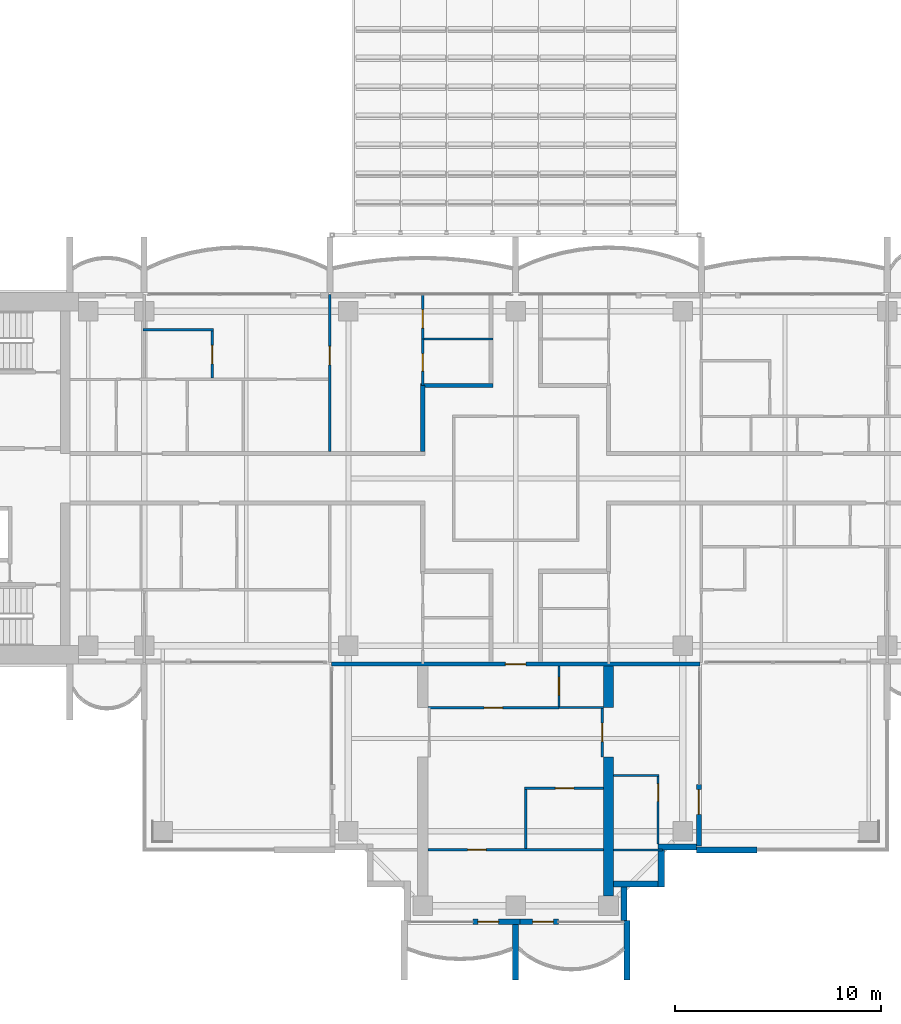
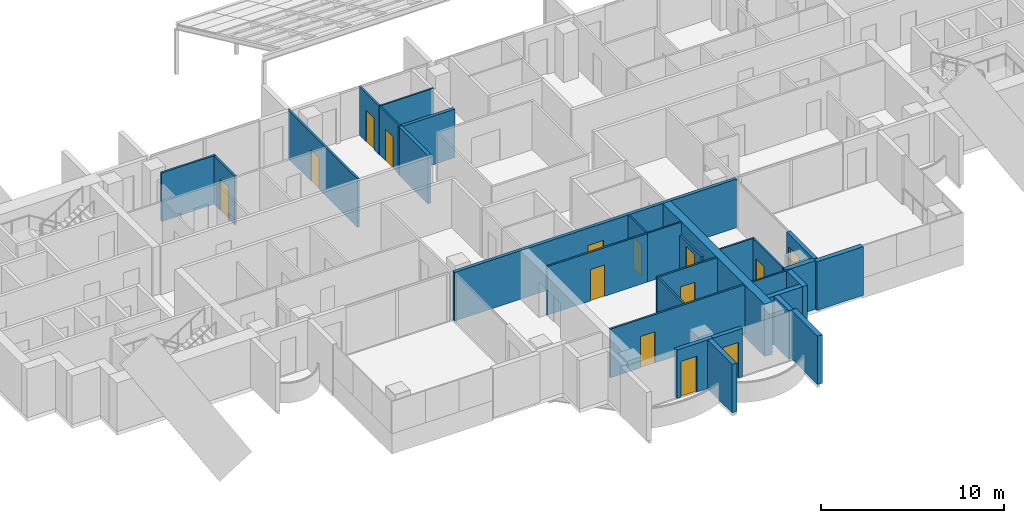
# One storey, part 12 of 20: 30 walls, 14 doors, 14 openings.
"""IFC4 building model written with IfcOpenShell, lengths in metres."""

from ifc_helpers import new_model, si_unit, direction, frame, frame_2d, origin, place, context, subcontext, project, spatial, polyline, rectangle, outline, extrude, material, layer, layer_set, material_profile, profile_set, type_object, element, fill, save


model = new_model("IFC4")

# Units and contexts
model_context = context("Model", 3, precision=1e-05, world=origin(), true_north=direction((0.0, 1.0)))
body_context = subcontext(model_context, "Body", "Model", "MODEL_VIEW")
ifc_project = project(units=[si_unit("LENGTHUNIT", "METRE"), si_unit("AREAUNIT", "SQUARE_METRE"), si_unit("VOLUMEUNIT", "CUBIC_METRE"), si_unit("PLANEANGLEUNIT", "RADIAN"), si_unit("MASSUNIT", "GRAM", prefix="KILO")], contexts=[model_context])

# Site, building, storey
site_placement = place(None, origin())
site = spatial("IfcSite", under=ifc_project, at=site_placement, CompositionType="ELEMENT")
building_placement = place(site_placement, origin())
building = spatial("IfcBuilding", under=site, at=building_placement, Name="Perihelion Cross Residences", CompositionType="ELEMENT")
storey_placement = place(building_placement, frame((0.0, 0.0, 170.10009765625)))
storey = spatial("IfcBuildingStorey", under=building, at=storey_placement, Name="L41", CompositionType="ELEMENT", Elevation=170.10009765625)

# Walls
ifc_material_1 = material(Name="Plasterboard partition")
ifc_layer_1 = layer(ifc_material_1, 0.199951171875)
ifc_layer_set_1 = layer_set([ifc_layer_1], Name="Apartment separation wall 200")
wall_type_1 = type_object("IfcWallType", Name="Apartment separation wall 200", PredefinedType="PARTITIONING", material=ifc_layer_set_1)
wall_1_placement = place(storey_placement, frame((-4.5, 1.300048828125, 0.0), z_axis=(0.0, 0.0, 1.0), x_axis=(0.0, 1.0, 0.0)))
element("IfcWall", 1, at=wall_1_placement, inside=storey, type_object=wall_type_1, Name="Partition L41 W014", PredefinedType="PARTITIONING", context=body_context, shape_type="SweptSolid", body=[
    extrude(rectangle(XDim=3.199951171875, YDim=0.199951171875, at=frame_2d((1.60009765625, 0.0))), origin(), (0.0, 0.0, 1.0), 3.25),
])
wall_2_placement = place(storey_placement, frame((-4.60009765625, 4.5, 0.0), z_axis=(0.0, 0.0, 1.0), x_axis=(1.0, 0.0, 0.0)))
element("IfcWall", 2, at=wall_2_placement, inside=storey, type_object=wall_type_1, Name="Partition L41 W015", PredefinedType="PARTITIONING", context=body_context, shape_type="SweptSolid", body=[
    extrude(rectangle(XDim=3.5, YDim=0.199951171875, at=frame_2d((1.75, 0.0))), origin(), (0.0, 0.0, 1.0), 3.25),
])

# Wall, opening, door
wall_3_placement = place(storey_placement, frame((8.919921875, -9.0, 0.0), z_axis=(0.0, 0.0, 1.0), x_axis=(-1.0, 0.0, 0.0)))
wall_3 = element("IfcWall", 3, at=wall_3_placement, inside=storey, type_object=wall_type_1, Name="Partition L41 W021", PredefinedType="PARTITIONING", context=body_context, shape_type="SweptSolid", body=[
    extrude(rectangle(XDim=17.83984375, YDim=0.199951171875, at=frame_2d((8.919921875, 0.0))), origin(), (0.0, 0.0, 1.0), 3.25),
])
opening_1_placement = place(wall_3_placement, frame((8.419921875, 0.0, 0.0)))
opening_1 = element("IfcOpeningElement", 4, at=opening_1_placement, cuts=wall_3, Name="Opening L41.A39", PredefinedType="OPENING", context=body_context, shape_type="SweptSolid", body=[
    extrude(rectangle(XDim=1.0, YDim=2.10009765625, at=frame_2d((0.5, 1.050048828125))), frame((0.0, 0.10986328125, 0.0), z_axis=(0.0, -1.0, 0.0), x_axis=(1.0, 0.0, 0.0)), (0.0, 0.0, 1.0), 0.219970703125),
])
ifc_material_2 = material(Name="Timber door leaf", Category="wood")
door_type_1 = type_object("IfcDoorType", Name="Flat entrance door 1000 x 2100", OperationType="SINGLE_SWING_LEFT", PredefinedType="DOOR", material=ifc_material_2)
door_1_placement = place(opening_1_placement, origin())
door_1 = element("IfcDoor", 5, at=door_1_placement, inside=storey, type_object=door_type_1, Name="Door L41.A39", OperationType="SINGLE_SWING_LEFT", OverallHeight=2.10009765625, OverallWidth=1.0, PredefinedType="DOOR", context=body_context, shape_type="SweptSolid", body=[
    extrude(rectangle(XDim=1.0, YDim=2.10009765625, at=frame_2d((0.5, 1.050048828125))), frame((0.0, 0.02490234375, 0.0), z_axis=(0.0, -1.0, 0.0), x_axis=(1.0, 0.0, 0.0)), (0.0, 0.0, 1.0), 0.050048828125),
])
fill(opening_1, door_1)

ifc_material_3 = material(Name="Concrete C30/37, bronze-clad", Category="concrete")
ifc_layer_2 = layer(ifc_material_3, 0.25)
ifc_layer_set_2 = layer_set([ifc_layer_2], Name="Bronze-clad pier wall 250")
wall_type_2 = type_object("IfcWallType", Name="Bronze-clad pier wall 250", PredefinedType="SOLIDWALL", material=ifc_layer_set_2)
wall_4_placement = place(storey_placement, frame((-2.074951171875, -21.47509765625, 0.0), z_axis=(0.0, 0.0, 1.0), x_axis=(1.0, 0.0, 0.0)))
wall_4 = element("IfcWall", 6, at=wall_4_placement, inside=storey, type_object=wall_type_2, Name="Wall FW1 L41 south tip south bay 1 pier", PredefinedType="SOLIDWALL", context=body_context, shape_type="SweptSolid", body=[
    extrude(rectangle(XDim=2.27490234375, YDim=0.25, at=frame_2d((1.137451171875, 0.0))), origin(), (0.0, 0.0, 1.0), 3.25),
])
opening_2_placement = place(wall_4_placement, frame((0.25, 0.0, 0.0)))
opening_2 = element("IfcOpeningElement", 7, at=opening_2_placement, cuts=wall_4, Name="Opening L41.E10", PredefinedType="OPENING", context=body_context, shape_type="SweptSolid", body=[
    extrude(rectangle(XDim=1.0, YDim=2.39990234375, at=frame_2d((0.5, 1.199951171875))), frame((0.0, 0.135009765625, 0.0), z_axis=(0.0, -1.0, 0.0), x_axis=(1.0, 0.0, 0.0)), (0.0, 0.0, 1.0), 0.27001953125),
])
ifc_material_4 = material(Name="Bronze anodised aluminium, glazed", Category="aluminium")
door_type_2 = type_object("IfcDoorType", Name="Balcony door 1000 x 2400", OperationType="NOTDEFINED", PredefinedType="DOOR", material=ifc_material_4)
door_2_placement = place(opening_2_placement, origin())
door_2 = element("IfcDoor", 8, at=door_2_placement, inside=storey, type_object=door_type_2, Name="Door L41.E10 south tip south bay 1", OperationType="SINGLE_SWING_RIGHT", OverallHeight=2.39990234375, OverallWidth=1.0, PredefinedType="DOOR", context=body_context, shape_type="SweptSolid", body=[
    extrude(rectangle(XDim=1.0, YDim=2.39990234375, at=frame_2d((0.5, 1.199951171875))), frame((0.0, 0.02490234375, 0.0), z_axis=(0.0, -1.0, 0.0), x_axis=(1.0, 0.0, 0.0)), (0.0, 0.0, 1.0), 0.050048828125),
])
fill(opening_2, door_2)

wall_5_placement = place(storey_placement, frame((0.199951171875, -21.47509765625, 0.0), z_axis=(0.0, 0.0, 1.0), x_axis=(1.0, 0.0, 0.0)))
wall_5 = element("IfcWall", 9, at=wall_5_placement, inside=storey, type_object=wall_type_2, Name="Wall FW1 L41 south tip south bay 2 pier", PredefinedType="SOLIDWALL", context=body_context, shape_type="SweptSolid", body=[
    extrude(rectangle(XDim=1.875, YDim=0.25, at=frame_2d((0.9375, 0.0))), origin(), (0.0, 0.0, 1.0), 3.25),
])
opening_3_placement = place(wall_5_placement, frame((0.625, 0.0, 0.0)))
opening_3 = element("IfcOpeningElement", 10, at=opening_3_placement, cuts=wall_5, Name="Opening L41.E11", PredefinedType="OPENING", context=body_context, shape_type="SweptSolid", body=[
    extrude(rectangle(XDim=1.0, YDim=2.39990234375, at=frame_2d((0.5, 1.199951171875))), frame((0.0, 0.135009765625, 0.0), z_axis=(0.0, -1.0, 0.0), x_axis=(1.0, 0.0, 0.0)), (0.0, 0.0, 1.0), 0.27001953125),
])
door_3_placement = place(opening_3_placement, origin())
door_3 = element("IfcDoor", 11, at=door_3_placement, inside=storey, type_object=door_type_2, Name="Door L41.E11 south tip south bay 2", OperationType="SINGLE_SWING_LEFT", OverallHeight=2.39990234375, OverallWidth=1.0, PredefinedType="DOOR", context=body_context, shape_type="SweptSolid", body=[
    extrude(rectangle(XDim=1.0, YDim=2.39990234375, at=frame_2d((0.5, 1.199951171875))), frame((0.0, 0.02490234375, 0.0), z_axis=(0.0, -1.0, 0.0), x_axis=(1.0, 0.0, 0.0)), (0.0, 0.0, 1.0), 0.050048828125),
])
fill(opening_3, door_3)

wall_6_placement = place(storey_placement, frame((8.875, -17.800048828125, 0.0), z_axis=(0.0, 0.0, 1.0), x_axis=(0.0, 1.0, 0.0)))
wall_6 = element("IfcWall", 12, at=wall_6_placement, inside=storey, type_object=wall_type_2, Name="Wall FW1 L41 south side east bay 1 pier", PredefinedType="SOLIDWALL", context=body_context, shape_type="SweptSolid", body=[
    extrude(rectangle(XDim=2.97509765625, YDim=0.25, at=frame_2d((1.487548828125, 0.0))), origin(), (0.0, 0.0, 1.0), 3.25),
])
opening_4_placement = place(wall_6_placement, frame((1.52490234375, 0.0, 0.0)))
opening_4 = element("IfcOpeningElement", 13, at=opening_4_placement, cuts=wall_6, Name="Opening L41.E12", PredefinedType="OPENING", context=body_context, shape_type="SweptSolid", body=[
    extrude(rectangle(XDim=1.199951171875, YDim=2.39990234375, at=frame_2d((0.60009765625, 1.199951171875))), frame((0.0, 0.135009765625, 0.0), z_axis=(0.0, -1.0, 0.0), x_axis=(1.0, 0.0, 0.0)), (0.0, 0.0, 1.0), 0.27001953125),
])
ifc_material_5 = material(Name="Bronze anodised aluminium, glazed", Category="aluminium")
door_type_3 = type_object("IfcDoorType", Name="Balcony door 1200 x 2400", OperationType="NOTDEFINED", PredefinedType="DOOR", material=ifc_material_5)
door_4_placement = place(opening_4_placement, origin())
door_4 = element("IfcDoor", 14, at=door_4_placement, inside=storey, type_object=door_type_3, Name="Door L41.E12 south side east bay 1", OperationType="SINGLE_SWING_RIGHT", OverallHeight=2.39990234375, OverallWidth=1.199951171875, PredefinedType="DOOR", context=body_context, shape_type="SweptSolid", body=[
    extrude(rectangle(XDim=1.199951171875, YDim=2.39990234375, at=frame_2d((0.60009765625, 1.199951171875))), frame((0.0, 0.02490234375, 0.0), z_axis=(0.0, -1.0, 0.0), x_axis=(1.0, 0.0, 0.0)), (0.0, 0.0, 1.0), 0.050048828125),
])
fill(opening_4, door_4)

# Walls
ifc_material_6 = material(Name="Concrete C30/37, bronze-clad", Category="concrete")
ifc_layer_3 = layer(ifc_material_6, 0.300048828125)
ifc_layer_set_3 = layer_set([ifc_layer_3], Name="Bronze-clad serration wall 300")
wall_type_3 = type_object("IfcWallType", Name="Bronze-clad serration wall 300", PredefinedType="SOLIDWALL", material=ifc_layer_set_3)
wall_7_placement = place(storey_placement, frame((5.25, -21.419921875, 0.0), z_axis=(0.0, 0.0, 1.0), x_axis=(0.0, 1.0, 0.0)))
element("IfcWall", 15, at=wall_7_placement, inside=storey, type_object=wall_type_3, Name="Wall SR1 L41 south corner south-east 1", PredefinedType="SOLIDWALL", context=body_context, shape_type="SweptSolid", body=[
    extrude(rectangle(XDim=1.619873046875, YDim=0.300048828125, at=frame_2d((0.81005859375, 0.0))), origin(), (0.0, 0.0, 1.0), 3.25),
])
wall_8_placement = place(storey_placement, frame((4.75, -19.64990234375, 0.0), z_axis=(0.0, 0.0, 1.0), x_axis=(1.0, 0.0, 0.0)))
element("IfcWall", 16, at=wall_8_placement, inside=storey, type_object=wall_type_3, Name="Wall SR1 L41 south corner south-east 2", PredefinedType="SOLIDWALL", context=body_context, shape_type="SweptSolid", body=[
    extrude(rectangle(XDim=2.14990234375, YDim=0.300048828125, at=frame_2d((1.074951171875, 0.0))), origin(), (0.0, 0.0, 1.0), 3.25),
])
wall_9_placement = place(storey_placement, frame((7.050048828125, -19.800048828125, 0.0), z_axis=(0.0, 0.0, 1.0), x_axis=(0.0, 1.0, 0.0)))
element("IfcWall", 17, at=wall_9_placement, inside=storey, type_object=wall_type_3, Name="Wall SR1 L41 south corner south-east 3", PredefinedType="SOLIDWALL", context=body_context, shape_type="SweptSolid", body=[
    extrude(rectangle(XDim=1.800048828125, YDim=0.300048828125, at=frame_2d((0.89990234375, 0.0))), origin(), (0.0, 0.0, 1.0), 3.25),
])
wall_10_placement = place(storey_placement, frame((6.89990234375, -17.85009765625, 0.0), z_axis=(0.0, 0.0, 1.0), x_axis=(1.0, 0.0, 0.0)))
element("IfcWall", 18, at=wall_10_placement, inside=storey, type_object=wall_type_3, Name="Wall SR1 L41 south corner south-east 4", PredefinedType="SOLIDWALL", context=body_context, shape_type="SweptSolid", body=[
    extrude(rectangle(XDim=1.85009765625, YDim=0.300048828125, at=frame_2d((0.925048828125, 0.0))), origin(), (0.0, 0.0, 1.0), 3.25),
])

# Wall, opening, door
ifc_material_7 = material(Name="Plasterboard partition")
ifc_layer_4 = layer(ifc_material_7, 0.1201171875)
ifc_layer_set_4 = layer_set([ifc_layer_4], Name="Infill panel 120")
wall_type_4 = type_object("IfcWallType", Name="Infill panel 120", PredefinedType="PARTITIONING", material=ifc_layer_set_4)
wall_11_placement = place(storey_placement, frame((4.18994140625, -11.10009765625, 0.0), z_axis=(0.0, 0.0, 1.0), x_axis=(0.0, -1.0, 0.0)))
wall_11 = element("IfcWall", 19, at=wall_11_placement, inside=storey, type_object=wall_type_4, Name="Partition L41 WI01", PredefinedType="PARTITIONING", context=body_context, shape_type="SweptSolid", body=[
    extrude(rectangle(XDim=2.39990234375, YDim=0.1201171875, at=frame_2d((1.199951171875, 0.0))), origin(), (0.0, 0.0, 1.0), 2.39990234375),
])
opening_5_placement = place(wall_11_placement, frame((0.75, 0.0, 0.0)))
opening_5 = element("IfcOpeningElement", 20, at=opening_5_placement, cuts=wall_11, Name="Opening L41.A49", PredefinedType="OPENING", context=body_context, shape_type="SweptSolid", body=[
    extrude(rectangle(XDim=0.89990234375, YDim=2.10009765625, at=frame_2d((0.449951171875, 1.050048828125))), frame((0.0, 0.070068359375, 0.0), z_axis=(0.0, -1.0, 0.0), x_axis=(1.0, 0.0, 0.0)), (0.0, 0.0, 1.0), 0.14013671875),
])
ifc_material_8 = material(Name="Timber door leaf", Category="wood")
door_type_4 = type_object("IfcDoorType", Name="Interior room door 900 x 2100", OperationType="SINGLE_SWING_LEFT", PredefinedType="DOOR", material=ifc_material_8)
door_5_placement = place(opening_5_placement, origin())
door_5 = element("IfcDoor", 21, at=door_5_placement, inside=storey, type_object=door_type_4, Name="Door L41.A49", OperationType="SINGLE_SWING_RIGHT", OverallHeight=2.10009765625, OverallWidth=0.89990234375, PredefinedType="DOOR", context=body_context, shape_type="SweptSolid", body=[
    extrude(rectangle(XDim=0.89990234375, YDim=2.10009765625, at=frame_2d((0.449951171875, 1.050048828125))), frame((0.0, 0.02490234375, 0.0), z_axis=(0.0, -1.0, 0.0), x_axis=(1.0, 0.0, 0.0)), (0.0, 0.0, 1.0), 0.050048828125),
])
fill(opening_5, door_5)

ifc_material_9 = material(Name="Plasterboard partition")
ifc_layer_5 = layer(ifc_material_9, 0.1201171875)
ifc_layer_set_5 = layer_set([ifc_layer_5], Name="Partition wall 120")
wall_type_5 = type_object("IfcWallType", Name="Partition wall 120", PredefinedType="PARTITIONING", material=ifc_layer_set_5)
wall_12_placement = place(storey_placement, frame((-9.0, 8.919921875, 0.0), z_axis=(0.0, 0.0, 1.0), x_axis=(0.0, -1.0, 0.0)))
wall_12 = element("IfcWall", 22, at=wall_12_placement, inside=storey, type_object=wall_type_5, Name="Partition L41 W053", PredefinedType="PARTITIONING", context=body_context, shape_type="SweptSolid", body=[
    extrude(rectangle(XDim=7.619873046875, YDim=0.1201171875, at=frame_2d((3.81005859375, 0.0))), origin(), (0.0, 0.0, 1.0), 3.25),
])
opening_6_placement = place(wall_12_placement, frame((2.52001953125, 0.0, 0.0)))
opening_6 = element("IfcOpeningElement", 23, at=opening_6_placement, cuts=wall_12, Name="Opening L41.A24", PredefinedType="OPENING", context=body_context, shape_type="SweptSolid", body=[
    extrude(rectangle(XDim=0.89990234375, YDim=2.10009765625, at=frame_2d((0.449951171875, 1.050048828125))), frame((0.0, 0.070068359375, 0.0), z_axis=(0.0, -1.0, 0.0), x_axis=(1.0, 0.0, 0.0)), (0.0, 0.0, 1.0), 0.14013671875),
])
door_6_placement = place(opening_6_placement, origin())
door_6 = element("IfcDoor", 24, at=door_6_placement, inside=storey, type_object=door_type_4, Name="Door L41.A24", OperationType="SINGLE_SWING_RIGHT", OverallHeight=2.10009765625, OverallWidth=0.89990234375, PredefinedType="DOOR", context=body_context, shape_type="SweptSolid", body=[
    extrude(rectangle(XDim=0.89990234375, YDim=2.10009765625, at=frame_2d((0.449951171875, 1.050048828125))), frame((0.0, 0.02490234375, 0.0), z_axis=(0.0, -1.0, 0.0), x_axis=(1.0, 0.0, 0.0)), (0.0, 0.0, 1.0), 0.050048828125),
])
fill(opening_6, door_6)

wall_13_placement = place(storey_placement, frame((-14.699951171875, 4.860107421875, 0.0), z_axis=(0.0, 0.0, 1.0), x_axis=(0.0, 1.0, 0.0)))
wall_13 = element("IfcWall", 25, at=wall_13_placement, inside=storey, type_object=wall_type_5, Name="Partition L41 W057", PredefinedType="PARTITIONING", context=body_context, shape_type="SweptSolid", body=[
    extrude(rectangle(XDim=2.27978515625, YDim=0.1201171875, at=frame_2d((1.139892578125, 0.0))), origin(), (0.0, 0.0, 1.0), 3.25),
])
opening_7_placement = place(wall_13_placement, frame((0.68994140625, 0.0, 0.0)))
opening_7 = element("IfcOpeningElement", 26, at=opening_7_placement, cuts=wall_13, Name="Opening L41.A29", PredefinedType="OPENING", context=body_context, shape_type="SweptSolid", body=[
    extrude(rectangle(XDim=0.89990234375, YDim=2.10009765625, at=frame_2d((0.449951171875, 1.050048828125))), frame((0.0, 0.070068359375, 0.0), z_axis=(0.0, -1.0, 0.0), x_axis=(1.0, 0.0, 0.0)), (0.0, 0.0, 1.0), 0.14013671875),
])
door_7_placement = place(opening_7_placement, origin())
door_7 = element("IfcDoor", 27, at=door_7_placement, inside=storey, type_object=door_type_4, Name="Door L41.A29", OperationType="SINGLE_SWING_RIGHT", OverallHeight=2.10009765625, OverallWidth=0.89990234375, PredefinedType="DOOR", context=body_context, shape_type="SweptSolid", body=[
    extrude(rectangle(XDim=0.89990234375, YDim=2.10009765625, at=frame_2d((0.449951171875, 1.050048828125))), frame((0.0, 0.02490234375, 0.0), z_axis=(0.0, -1.0, 0.0), x_axis=(1.0, 0.0, 0.0)), (0.0, 0.0, 1.0), 0.050048828125),
])
fill(opening_7, door_7)

# Wall
wall_14_placement = place(storey_placement, frame((-14.639892578125, 7.199951171875, 0.0), z_axis=(0.0, 0.0, 1.0), x_axis=(-1.0, 0.0, 0.0)))
element("IfcWall", 28, at=wall_14_placement, inside=storey, type_object=wall_type_5, Name="Partition L41 W058", PredefinedType="PARTITIONING", context=body_context, shape_type="SweptSolid", body=[
    extrude(rectangle(XDim=3.420166015625, YDim=0.1201171875, at=frame_2d((1.7099609375, 0.0))), origin(), (0.0, 0.0, 1.0), 3.25),
])

# Wall, opening, door
wall_15_placement = place(storey_placement, frame((-4.5, 8.919921875, 0.0), z_axis=(0.0, 0.0, 1.0), x_axis=(0.0, -1.0, 0.0)))
wall_15 = element("IfcWall", 29, at=wall_15_placement, inside=storey, type_object=wall_type_5, Name="Partition L41 W061", PredefinedType="PARTITIONING", context=body_context, shape_type="SweptSolid", body=[
    extrude(rectangle(XDim=2.169921875, YDim=0.1201171875, at=frame_2d((1.0849609375, 0.0))), origin(), (0.0, 0.0, 1.0), 3.25),
])
opening_8_placement = place(wall_15_placement, frame((0.7451171875, 0.0, 0.0)))
opening_8 = element("IfcOpeningElement", 30, at=opening_8_placement, cuts=wall_15, Name="Opening L41.A27", PredefinedType="OPENING", context=body_context, shape_type="SweptSolid", body=[
    extrude(rectangle(XDim=0.89990234375, YDim=2.10009765625, at=frame_2d((0.449951171875, 1.050048828125))), frame((0.0, 0.070068359375, 0.0), z_axis=(0.0, -1.0, 0.0), x_axis=(1.0, 0.0, 0.0)), (0.0, 0.0, 1.0), 0.14013671875),
])
door_8_placement = place(opening_8_placement, origin())
door_8 = element("IfcDoor", 31, at=door_8_placement, inside=storey, type_object=door_type_4, Name="Door L41.A27", OperationType="SINGLE_SWING_LEFT", OverallHeight=2.10009765625, OverallWidth=0.89990234375, PredefinedType="DOOR", context=body_context, shape_type="SweptSolid", body=[
    extrude(rectangle(XDim=0.89990234375, YDim=2.10009765625, at=frame_2d((0.449951171875, 1.050048828125))), frame((0.0, 0.02490234375, 0.0), z_axis=(0.0, -1.0, 0.0), x_axis=(1.0, 0.0, 0.0)), (0.0, 0.0, 1.0), 0.050048828125),
])
fill(opening_8, door_8)

wall_16_placement = place(storey_placement, frame((2.10009765625, -11.10009765625, 0.0), z_axis=(0.0, 0.0, 1.0), x_axis=(-1.0, 0.0, 0.0)))
wall_16 = element("IfcWall", 32, at=wall_16_placement, inside=storey, type_object=wall_type_5, Name="Partition L41 W074", PredefinedType="PARTITIONING", context=body_context, shape_type="SweptSolid", body=[
    extrude(rectangle(XDim=6.35009765625, YDim=0.1201171875, at=frame_2d((3.175048828125, 0.0))), origin(), (0.0, 0.0, 1.0), 3.25),
])
opening_9_placement = place(wall_16_placement, frame((2.72509765625, 0.0, 0.0)))
opening_9 = element("IfcOpeningElement", 33, at=opening_9_placement, cuts=wall_16, Name="Opening L41.A41", PredefinedType="OPENING", context=body_context, shape_type="SweptSolid", body=[
    extrude(rectangle(XDim=0.89990234375, YDim=2.10009765625, at=frame_2d((0.449951171875, 1.050048828125))), frame((0.0, 0.070068359375, 0.0), z_axis=(0.0, -1.0, 0.0), x_axis=(1.0, 0.0, 0.0)), (0.0, 0.0, 1.0), 0.14013671875),
])
door_9_placement = place(opening_9_placement, origin())
door_9 = element("IfcDoor", 34, at=door_9_placement, inside=storey, type_object=door_type_4, Name="Door L41.A41", OperationType="SINGLE_SWING_LEFT", OverallHeight=2.10009765625, OverallWidth=0.89990234375, PredefinedType="DOOR", context=body_context, shape_type="SweptSolid", body=[
    extrude(rectangle(XDim=0.89990234375, YDim=2.10009765625, at=frame_2d((0.449951171875, 1.050048828125))), frame((0.0, 0.02490234375, 0.0), z_axis=(0.0, -1.0, 0.0), x_axis=(1.0, 0.0, 0.0)), (0.0, 0.0, 1.0), 0.050048828125),
])
fill(opening_9, door_9)

wall_17_placement = place(storey_placement, frame((4.25, -15.0, 0.0), z_axis=(0.0, 0.0, 1.0), x_axis=(-1.0, 0.0, 0.0)))
wall_17 = element("IfcWall", 35, at=wall_17_placement, inside=storey, type_object=wall_type_5, Name="Partition L41 W076", PredefinedType="PARTITIONING", context=body_context, shape_type="SweptSolid", body=[
    extrude(rectangle(XDim=3.81005859375, YDim=0.1201171875, at=frame_2d((1.905029296875, 0.0))), origin(), (0.0, 0.0, 1.0), 3.25),
])
opening_10_placement = place(wall_17_placement, frame((1.425048828125, 0.0, 0.0)))
opening_10 = element("IfcOpeningElement", 36, at=opening_10_placement, cuts=wall_17, Name="Opening L41.A42", PredefinedType="OPENING", context=body_context, shape_type="SweptSolid", body=[
    extrude(rectangle(XDim=0.89990234375, YDim=2.10009765625, at=frame_2d((0.449951171875, 1.050048828125))), frame((0.0, 0.070068359375, 0.0), z_axis=(0.0, -1.0, 0.0), x_axis=(1.0, 0.0, 0.0)), (0.0, 0.0, 1.0), 0.14013671875),
])
door_10_placement = place(opening_10_placement, origin())
door_10 = element("IfcDoor", 37, at=door_10_placement, inside=storey, type_object=door_type_4, Name="Door L41.A42", OperationType="SINGLE_SWING_LEFT", OverallHeight=2.10009765625, OverallWidth=0.89990234375, PredefinedType="DOOR", context=body_context, shape_type="SweptSolid", body=[
    extrude(rectangle(XDim=0.89990234375, YDim=2.10009765625, at=frame_2d((0.449951171875, 1.050048828125))), frame((0.0, 0.02490234375, 0.0), z_axis=(0.0, -1.0, 0.0), x_axis=(1.0, 0.0, 0.0)), (0.0, 0.0, 1.0), 0.050048828125),
])
fill(opening_10, door_10)

# Wall
wall_18_placement = place(storey_placement, frame((0.5, -15.06005859375, 0.0), z_axis=(0.0, 0.0, 1.0), x_axis=(0.0, -1.0, 0.0)))
element("IfcWall", 38, at=wall_18_placement, inside=storey, type_object=wall_type_5, Name="Partition L41 W077", PredefinedType="PARTITIONING", context=body_context, shape_type="SweptSolid", body=[
    extrude(rectangle(XDim=2.8798828125, YDim=0.1201171875, at=frame_2d((1.43994140625, 0.0))), origin(), (0.0, 0.0, 1.0), 3.25),
])

# Wall, opening, door
wall_19_placement = place(storey_placement, frame((4.25, -18.0, 0.0), z_axis=(0.0, 0.0, 1.0), x_axis=(-1.0, 0.0, 0.0)))
wall_19 = element("IfcWall", 39, at=wall_19_placement, inside=storey, type_object=wall_type_5, Name="Partition L41 W078", PredefinedType="PARTITIONING", context=body_context, shape_type="SweptSolid", body=[
    extrude(rectangle(XDim=8.5, YDim=0.1201171875, at=frame_2d((4.25, 0.0))), origin(), (0.0, 0.0, 1.0), 3.25),
])
opening_11_placement = place(wall_19_placement, frame((5.675048828125, 0.0, 0.0)))
opening_11 = element("IfcOpeningElement", 40, at=opening_11_placement, cuts=wall_19, Name="Opening L41.A43", PredefinedType="OPENING", context=body_context, shape_type="SweptSolid", body=[
    extrude(rectangle(XDim=0.89990234375, YDim=2.10009765625, at=frame_2d((0.449951171875, 1.050048828125))), frame((0.0, 0.070068359375, 0.0), z_axis=(0.0, -1.0, 0.0), x_axis=(1.0, 0.0, 0.0)), (0.0, 0.0, 1.0), 0.14013671875),
])
door_11_placement = place(opening_11_placement, origin())
door_11 = element("IfcDoor", 41, at=door_11_placement, inside=storey, type_object=door_type_4, Name="Door L41.A43", OperationType="SINGLE_SWING_RIGHT", OverallHeight=2.10009765625, OverallWidth=0.89990234375, PredefinedType="DOOR", context=body_context, shape_type="SweptSolid", body=[
    extrude(rectangle(XDim=0.89990234375, YDim=2.10009765625, at=frame_2d((0.449951171875, 1.050048828125))), frame((0.0, 0.02490234375, 0.0), z_axis=(0.0, -1.0, 0.0), x_axis=(1.0, 0.0, 0.0)), (0.0, 0.0, 1.0), 0.050048828125),
])
fill(opening_11, door_11)

# Walls
ifc_material_10 = material(Name="Precast concrete C50/60", Category="concrete")
ifc_layer_6 = layer(ifc_material_10, 0.300048828125)
ifc_layer_set_6 = layer_set([ifc_layer_6], Name="Precast concrete C50/60 blade wall 300")
wall_type_6 = type_object("IfcWallType", Name="Precast concrete C50/60 blade wall 300", PredefinedType="SOLIDWALL", material=ifc_layer_set_6)
wall_20_placement = place(storey_placement, frame((0.0, -21.60009765625, 0.0), z_axis=(0.0, 0.0, 1.0), x_axis=(0.0, -1.0, 0.0)))
element("IfcWall", 42, at=wall_20_placement, inside=storey, type_object=wall_type_6, Name="Wall BL1 L41 no. 8", PredefinedType="SOLIDWALL", context=body_context, shape_type="SweptSolid", body=[
    extrude(rectangle(XDim=2.699951171875, YDim=0.300048828125, at=frame_2d((1.35009765625, 0.0))), origin(), (0.0, 0.0, 1.0), 3.25),
])
wall_21_placement = place(storey_placement, frame((5.39990234375, -21.419921875, 0.0), z_axis=(0.0, 0.0, 1.0), x_axis=(0.0, -1.0, 0.0)))
element("IfcWall", 43, at=wall_21_placement, inside=storey, type_object=wall_type_6, Name="Wall BL1 L41 no. 14", PredefinedType="SOLIDWALL", context=body_context, shape_type="SweptSolid", body=[
    extrude(rectangle(XDim=2.880126953125, YDim=0.300048828125, at=frame_2d((1.43994140625, 0.0))), origin(), (0.0, 0.0, 1.0), 3.25),
])
wall_22_placement = place(storey_placement, frame((8.75, -18.0, 0.0), z_axis=(0.0, 0.0, 1.0), x_axis=(1.0, 0.0, 0.0)))
element("IfcWall", 44, at=wall_22_placement, inside=storey, type_object=wall_type_6, Name="Wall BL1 L41 no. 15", PredefinedType="SOLIDWALL", context=body_context, shape_type="SweptSolid", body=[
    extrude(rectangle(XDim=2.949951171875, YDim=0.300048828125, at=frame_2d((1.47509765625, 0.0))), origin(), (0.0, 0.0, 1.0), 3.25),
])
ifc_material_11 = material(Name="Concrete C60/75", Category="concrete")
ifc_material_profile = material_profile(ifc_material_11, outline(polyline([(0.0, 0.0), (6.72509765625, 0.0), (6.72509765625, 2.64990234375), (9.125, 2.64990234375), (9.125, 0.0), (11.22509765625, 0.0), (11.22509765625, 3.5), (0.0, 3.5), (0.0, 0.0)])), Name="Tip spine wall")
ifc_profile_set = profile_set([ifc_material_profile], Name="Concrete C60/75")
wall_type_7 = type_object("IfcWallType", Name="Tip spine wall 500 with 1 door openings 11225 long 3500 high concrete C60/75", PredefinedType="SHEAR", material=ifc_profile_set)
wall_23_placement = place(storey_placement, frame((4.25, -20.22509765625, -0.25), z_axis=(1.0, 0.0, 0.0), x_axis=(0.0, 1.0, 0.0)))
element("IfcWall", 45, at=wall_23_placement, inside=storey, type_object=wall_type_7, Name="Shear wall SW41 L41 south east", PredefinedType="SHEAR", context=body_context, shape_type="SweptSolid", body=[
    extrude(outline(polyline([(0.0, 0.0), (6.72509765625, 0.0), (6.72509765625, 2.64990234375), (9.125, 2.64990234375), (9.125, 0.0), (11.22509765625, 0.0), (11.22509765625, 3.5), (0.0, 3.5), (0.0, 0.0)])), origin(), (0.0, 0.0, 1.0), 0.5),
])

# Wall, opening, door
ifc_material_12 = material(Name="Plasterboard partition")
ifc_layer_7 = layer(ifc_material_12, 0.10009765625)
ifc_layer_set_7 = layer_set([ifc_layer_7], Name="Wet room wall 100")
wall_type_8 = type_object("IfcWallType", Name="Wet room wall 100", PredefinedType="PARTITIONING", material=ifc_layer_set_7)
wall_24_placement = place(storey_placement, frame((-4.5, 6.75, 0.0), z_axis=(0.0, 0.0, 1.0), x_axis=(0.0, -1.0, 0.0)))
wall_24 = element("IfcWall", 46, at=wall_24_placement, inside=storey, type_object=wall_type_8, Name="Partition L41 W060", PredefinedType="PARTITIONING", context=body_context, shape_type="SweptSolid", body=[
    extrude(rectangle(XDim=2.25, YDim=0.10009765625, at=frame_2d((1.125, 0.0))), origin(), (0.0, 0.0, 1.0), 3.25),
])
opening_12_placement = place(wall_24_placement, frame((0.699951171875, 0.0, 0.0)))
opening_12 = element("IfcOpeningElement", 47, at=opening_12_placement, cuts=wall_24, Name="Opening L41.A22", PredefinedType="OPENING", context=body_context, shape_type="SweptSolid", body=[
    extrude(rectangle(XDim=0.85009765625, YDim=2.10009765625, at=frame_2d((0.425048828125, 1.050048828125))), frame((0.0, 0.06005859375, 0.0), z_axis=(0.0, -1.0, 0.0), x_axis=(1.0, 0.0, 0.0)), (0.0, 0.0, 1.0), 0.1201171875),
])
ifc_material_13 = material(Name="Timber door leaf", Category="wood")
door_type_5 = type_object("IfcDoorType", Name="Interior bathroom door 850 x 2100", OperationType="SINGLE_SWING_LEFT", PredefinedType="DOOR", material=ifc_material_13)
door_12_placement = place(opening_12_placement, origin())
door_12 = element("IfcDoor", 48, at=door_12_placement, inside=storey, type_object=door_type_5, Name="Door L41.A22", OperationType="SINGLE_SWING_RIGHT", OverallHeight=2.10009765625, OverallWidth=0.85009765625, PredefinedType="DOOR", context=body_context, shape_type="SweptSolid", body=[
    extrude(rectangle(XDim=0.85009765625, YDim=2.10009765625, at=frame_2d((0.425048828125, 1.050048828125))), frame((0.0, 0.02490234375, 0.0), z_axis=(0.0, -1.0, 0.0), x_axis=(1.0, 0.0, 0.0)), (0.0, 0.0, 1.0), 0.050048828125),
])
fill(opening_12, door_12)

# Wall
wall_25_placement = place(storey_placement, frame((-4.56005859375, 6.75, 0.0), z_axis=(0.0, 0.0, 1.0), x_axis=(1.0, 0.0, 0.0)))
element("IfcWall", 49, at=wall_25_placement, inside=storey, type_object=wall_type_8, Name="Partition L41 W062", PredefinedType="PARTITIONING", context=body_context, shape_type="SweptSolid", body=[
    extrude(rectangle(XDim=3.4599609375, YDim=0.10009765625, at=frame_2d((1.72998046875, 0.0))), origin(), (0.0, 0.0, 1.0), 3.25),
])

# Wall, opening, door
wall_26_placement = place(storey_placement, frame((2.10009765625, -9.10009765625, 0.0), z_axis=(0.0, 0.0, 1.0), x_axis=(0.0, -1.0, 0.0)))
wall_26 = element("IfcWall", 50, at=wall_26_placement, inside=storey, type_object=wall_type_8, Name="Partition L41 W073", PredefinedType="PARTITIONING", context=body_context, shape_type="SweptSolid", body=[
    extrude(rectangle(XDim=1.93994140625, YDim=0.10009765625, at=frame_2d((0.969970703125, 0.0))), origin(), (0.0, 0.0, 1.0), 3.25),
])
opening_13_placement = place(wall_26_placement, frame((0.544921875, 0.0, 0.0)))
opening_13 = element("IfcOpeningElement", 51, at=opening_13_placement, cuts=wall_26, Name="Opening L41.A40", PredefinedType="OPENING", context=body_context, shape_type="SweptSolid", body=[
    extrude(rectangle(XDim=0.85009765625, YDim=2.10009765625, at=frame_2d((0.425048828125, 1.050048828125))), frame((0.0, 0.06005859375, 0.0), z_axis=(0.0, -1.0, 0.0), x_axis=(1.0, 0.0, 0.0)), (0.0, 0.0, 1.0), 0.1201171875),
])
door_13_placement = place(opening_13_placement, origin())
door_13 = element("IfcDoor", 52, at=door_13_placement, inside=storey, type_object=door_type_5, Name="Door L41.A40", OperationType="SINGLE_SWING_RIGHT", OverallHeight=2.10009765625, OverallWidth=0.85009765625, PredefinedType="DOOR", context=body_context, shape_type="SweptSolid", body=[
    extrude(rectangle(XDim=0.85009765625, YDim=2.10009765625, at=frame_2d((0.425048828125, 1.050048828125))), frame((0.0, 0.02490234375, 0.0), z_axis=(0.0, -1.0, 0.0), x_axis=(1.0, 0.0, 0.0)), (0.0, 0.0, 1.0), 0.050048828125),
])
fill(opening_13, door_13)

# Wall
wall_27_placement = place(storey_placement, frame((4.25, -11.10009765625, 0.0), z_axis=(0.0, 0.0, 1.0), x_axis=(-1.0, 0.0, 0.0)))
element("IfcWall", 53, at=wall_27_placement, inside=storey, type_object=wall_type_8, Name="Partition L41 W075", PredefinedType="PARTITIONING", context=body_context, shape_type="SweptSolid", body=[
    extrude(rectangle(XDim=2.14990234375, YDim=0.10009765625, at=frame_2d((1.074951171875, 0.0))), origin(), (0.0, 0.0, 1.0), 3.25),
])

# Wall, opening, door
wall_28_placement = place(storey_placement, frame((6.89990234375, -17.699951171875, 0.0), z_axis=(0.0, 0.0, 1.0), x_axis=(0.0, 1.0, 0.0)))
wall_28 = element("IfcWall", 54, at=wall_28_placement, inside=storey, type_object=wall_type_8, Name="Partition L41 W079", PredefinedType="PARTITIONING", context=body_context, shape_type="SweptSolid", body=[
    extrude(rectangle(XDim=3.25, YDim=0.10009765625, at=frame_2d((1.625, 0.0))), origin(), (0.0, 0.0, 1.0), 3.25),
])
opening_14_placement = place(wall_28_placement, frame((2.050048828125, 0.0, 0.0)))
opening_14 = element("IfcOpeningElement", 55, at=opening_14_placement, cuts=wall_28, Name="Opening L41.A44", PredefinedType="OPENING", context=body_context, shape_type="SweptSolid", body=[
    extrude(rectangle(XDim=0.85009765625, YDim=2.10009765625, at=frame_2d((0.425048828125, 1.050048828125))), frame((0.0, 0.06005859375, 0.0), z_axis=(0.0, -1.0, 0.0), x_axis=(1.0, 0.0, 0.0)), (0.0, 0.0, 1.0), 0.1201171875),
])
door_14_placement = place(opening_14_placement, origin())
door_14 = element("IfcDoor", 56, at=door_14_placement, inside=storey, type_object=door_type_5, Name="Door L41.A44", OperationType="SINGLE_SWING_LEFT", OverallHeight=2.10009765625, OverallWidth=0.85009765625, PredefinedType="DOOR", context=body_context, shape_type="SweptSolid", body=[
    extrude(rectangle(XDim=0.85009765625, YDim=2.10009765625, at=frame_2d((0.425048828125, 1.050048828125))), frame((0.0, 0.02490234375, 0.0), z_axis=(0.0, -1.0, 0.0), x_axis=(1.0, 0.0, 0.0)), (0.0, 0.0, 1.0), 0.050048828125),
])
fill(opening_14, door_14)

# Walls
wall_29_placement = place(storey_placement, frame((6.949951171875, -14.39990234375, 0.0), z_axis=(0.0, 0.0, 1.0), x_axis=(-1.0, 0.0, 0.0)))
element("IfcWall", 57, at=wall_29_placement, inside=storey, type_object=wall_type_8, Name="Partition L41 W080", PredefinedType="PARTITIONING", context=body_context, shape_type="SweptSolid", body=[
    extrude(rectangle(XDim=2.199951171875, YDim=0.10009765625, at=frame_2d((1.10009765625, 0.0))), origin(), (0.0, 0.0, 1.0), 3.25),
])
wall_30_placement = place(storey_placement, frame((7.1201171875, -18.0, 0.0), z_axis=(0.0, 0.0, 1.0), x_axis=(-1.0, 0.0, 0.0)))
element("IfcWall", 58, at=wall_30_placement, inside=storey, type_object=wall_type_8, Name="Partition L41 W081", PredefinedType="PARTITIONING", context=body_context, shape_type="SweptSolid", body=[
    extrude(rectangle(XDim=2.3701171875, YDim=0.10009765625, at=frame_2d((1.18505859375, 0.0))), origin(), (0.0, 0.0, 1.0), 3.25),
])

save(model, "model.ifc")
